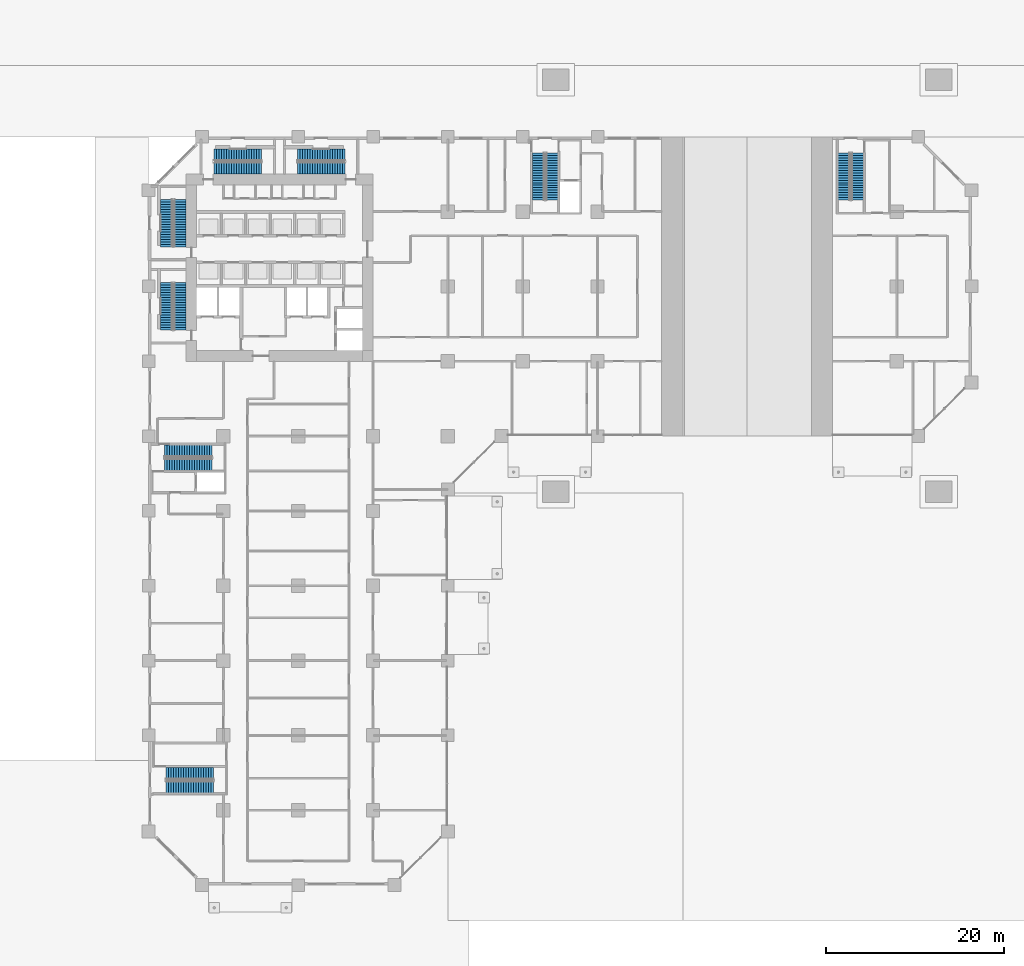
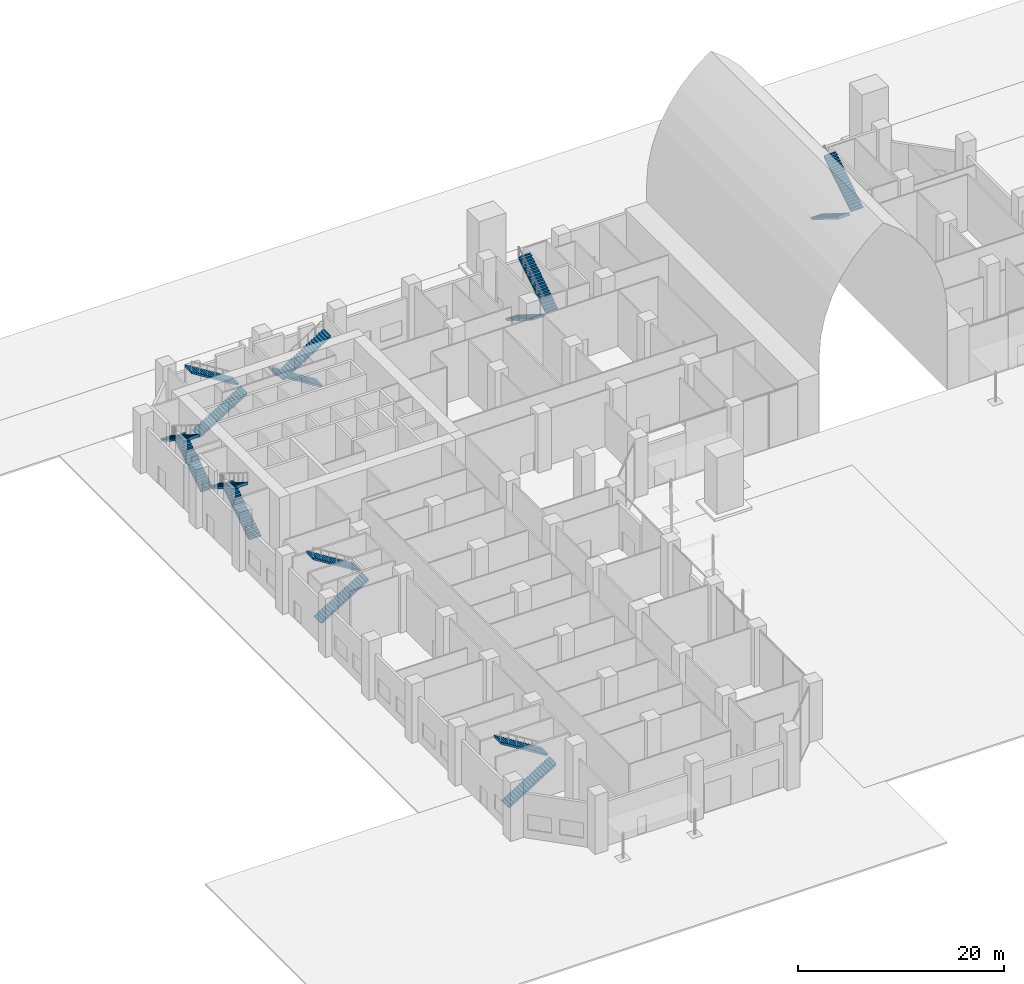
# One storey, part 23 of 32: 16 stair flights, 8 elements without a shape of their own.
"""IFC4 building model written with IfcOpenShell, lengths in metres."""

from ifc_helpers import new_model, si_unit, direction, frame, origin, place, context, subcontext, project, spatial, polyline, outline, extrude, material, type_object, element, aggregate, save


model = new_model("IFC4")

# Units and contexts
model_context = context("Model", 3, precision=1e-05, world=origin(), true_north=direction((0.0, 1.0)))
body_context = subcontext(model_context, "Body", "Model", "MODEL_VIEW")
ifc_project = project(units=[si_unit("LENGTHUNIT", "METRE"), si_unit("AREAUNIT", "SQUARE_METRE"), si_unit("VOLUMEUNIT", "CUBIC_METRE"), si_unit("PLANEANGLEUNIT", "RADIAN"), si_unit("MASSUNIT", "GRAM", prefix="KILO")], contexts=[model_context])

# Site, building, storey
site_placement = place(None, origin())
site = spatial("IfcSite", under=ifc_project, at=site_placement, CompositionType="ELEMENT")
building_placement = place(site_placement, origin())
building = spatial("IfcBuilding", under=site, at=building_placement, Name="Kawkab Arch Medical Tower", CompositionType="ELEMENT")
storey_placement = place(building_placement, origin())
storey = spatial("IfcBuildingStorey", under=building, at=storey_placement, Name="L01", CompositionType="ELEMENT", Elevation=0.0)

# Stair, stair flights
ifc_material_1 = material(Name="Concrete C40/50", Category="concrete")
stair_type = type_object("IfcStairType", Name="Exit stair 1350", PredefinedType="HALF_TURN_STAIR", material=ifc_material_1)
placement = place(storey_placement, origin())
stair_1 = element("IfcStair", 1, at=placement, inside=storey, type_object=stair_type, Name="L01 Exit stair ST1", PredefinedType="HALF_TURN_STAIR")
ifc_material_2 = material(Name="Concrete C40/50", Category="concrete")
stair_flight_type = type_object("IfcStairFlightType", Name="Exit stair flight 1350", PredefinedType="STRAIGHT", material=ifc_material_2)
stair_flight_1_placement = place(storey_placement, frame((3.52490234375, -12.35009765625, 0.0), z_axis=(0.0, 0.0, 1.0), x_axis=(0.0, 1.0, 0.0)))
stair_flight_1 = element("IfcStairFlight", 2, at=stair_flight_1_placement, type_object=stair_flight_type, Name="ST1 flight 1", NumberOfRisers=20, NumberOfTreads=19, PredefinedType="STRAIGHT", RiserHeight=0.175, TreadLength=0.28, context=body_context, shape_type="SweptSolid", body=[
    extrude(outline(polyline([(-0.0029296875, 0.0), (-0.0029296875, 0.175048828125), (0.0, 0.175048828125), (0.280029296875, 0.175048828125), (0.280029296875, 0.35009765625), (0.56005859375, 0.35009765625), (0.56005859375, 0.52490234375), (0.840087890625, 0.52490234375), (0.840087890625, 0.699951171875), (1.1201171875, 0.699951171875), (1.1201171875, 0.875), (1.39990234375, 0.875), (1.39990234375, 1.050048828125), (1.679931640625, 1.050048828125), (1.679931640625, 1.22509765625), (1.9599609375, 1.22509765625), (1.9599609375, 1.39990234375), (2.239990234375, 1.39990234375), (2.239990234375, 1.574951171875), (2.52001953125, 1.574951171875), (2.52001953125, 1.75), (2.800048828125, 1.75), (2.800048828125, 1.925048828125), (3.080078125, 1.925048828125), (3.080078125, 2.10009765625), (3.360107421875, 2.10009765625), (3.360107421875, 2.27490234375), (3.639892578125, 2.27490234375), (3.639892578125, 2.449951171875), (3.919921875, 2.449951171875), (3.919921875, 2.625), (4.199951171875, 2.625), (4.199951171875, 2.800048828125), (4.47998046875, 2.800048828125), (4.47998046875, 2.97509765625), (4.760009765625, 2.97509765625), (4.760009765625, 3.14990234375), (5.0400390625, 3.14990234375), (5.0400390625, 3.324951171875), (5.320068359375, 3.324951171875), (5.320068359375, 3.5), (5.322998046875, 3.5), (5.322998046875, 3.148193359375), (5.320068359375, 3.148193359375), (0.28271484375, 0.0), (-0.0029296875, 0.0)])), frame((0.0, 0.675048828125, 0.0), z_axis=(0.0, -1.0, 0.0), x_axis=(1.0, 0.0, 0.0)), (0.0, 0.0, 1.0), 1.35009765625),
])
stair_flight_2_placement = place(storey_placement, frame((2.02490234375, -7.030029296875, 3.5), z_axis=(0.0, 0.0, 1.0), x_axis=(0.0, -1.0, 0.0)))
stair_flight_2 = element("IfcStairFlight", 3, at=stair_flight_2_placement, type_object=stair_flight_type, Name="ST1 flight 2", NumberOfRisers=20, NumberOfTreads=19, PredefinedType="STRAIGHT", RiserHeight=0.175, TreadLength=0.28, context=body_context, shape_type="SweptSolid", body=[
    extrude(outline(polyline([(-0.0029296875, 0.0), (-0.0029296875, 0.175048828125), (0.0, 0.175048828125), (0.280029296875, 0.175048828125), (0.280029296875, 0.35009765625), (0.56005859375, 0.35009765625), (0.56005859375, 0.52490234375), (0.840087890625, 0.52490234375), (0.840087890625, 0.699951171875), (1.1201171875, 0.699951171875), (1.1201171875, 0.875), (1.39990234375, 0.875), (1.39990234375, 1.050048828125), (1.679931640625, 1.050048828125), (1.679931640625, 1.22509765625), (1.9599609375, 1.22509765625), (1.9599609375, 1.39990234375), (2.239990234375, 1.39990234375), (2.239990234375, 1.574951171875), (2.52001953125, 1.574951171875), (2.52001953125, 1.75), (2.800048828125, 1.75), (2.800048828125, 1.925048828125), (3.080078125, 1.925048828125), (3.080078125, 2.10009765625), (3.360107421875, 2.10009765625), (3.360107421875, 2.27490234375), (3.639892578125, 2.27490234375), (3.639892578125, 2.449951171875), (3.919921875, 2.449951171875), (3.919921875, 2.625), (4.199951171875, 2.625), (4.199951171875, 2.800048828125), (4.47998046875, 2.800048828125), (4.47998046875, 2.97509765625), (4.760009765625, 2.97509765625), (4.760009765625, 3.14990234375), (5.0400390625, 3.14990234375), (5.0400390625, 3.324951171875), (5.320068359375, 3.324951171875), (5.320068359375, 3.5), (5.322998046875, 3.5), (5.322998046875, 3.148193359375), (5.320068359375, 3.148193359375), (0.28271484375, 0.0), (-0.0029296875, 0.0)])), frame((0.0, 0.675048828125, 0.0), z_axis=(0.0, -1.0, 0.0), x_axis=(1.0, 0.0, 0.0)), (0.0, 0.0, 1.0), 1.35009765625),
])
aggregate(stair_1, [stair_flight_1, stair_flight_2])

stair_2 = element("IfcStair", 4, at=placement, inside=storey, type_object=stair_type, Name="L01 Exit stair ST10", PredefinedType="HALF_TURN_STAIR")
stair_flight_3_placement = place(storey_placement, frame((1.97509765625, -72.97509765625, 0.0), z_axis=(0.0, 0.0, 1.0), x_axis=(1.0, 0.0, 0.0)))
stair_flight_3 = element("IfcStairFlight", 5, at=stair_flight_3_placement, type_object=stair_flight_type, Name="ST10 flight 1", NumberOfRisers=20, NumberOfTreads=19, PredefinedType="STRAIGHT", RiserHeight=0.175, TreadLength=0.28, context=body_context, shape_type="SweptSolid", body=[
    extrude(outline(polyline([(-0.0029296875, 0.0), (-0.0029296875, 0.175048828125), (0.0, 0.175048828125), (0.280029296875, 0.175048828125), (0.280029296875, 0.35009765625), (0.56005859375, 0.35009765625), (0.56005859375, 0.52490234375), (0.840087890625, 0.52490234375), (0.840087890625, 0.699951171875), (1.1201171875, 0.699951171875), (1.1201171875, 0.875), (1.39990234375, 0.875), (1.39990234375, 1.050048828125), (1.679931640625, 1.050048828125), (1.679931640625, 1.22509765625), (1.9599609375, 1.22509765625), (1.9599609375, 1.39990234375), (2.239990234375, 1.39990234375), (2.239990234375, 1.574951171875), (2.52001953125, 1.574951171875), (2.52001953125, 1.75), (2.800048828125, 1.75), (2.800048828125, 1.925048828125), (3.080078125, 1.925048828125), (3.080078125, 2.10009765625), (3.360107421875, 2.10009765625), (3.360107421875, 2.27490234375), (3.639892578125, 2.27490234375), (3.639892578125, 2.449951171875), (3.919921875, 2.449951171875), (3.919921875, 2.625), (4.199951171875, 2.625), (4.199951171875, 2.800048828125), (4.47998046875, 2.800048828125), (4.47998046875, 2.97509765625), (4.760009765625, 2.97509765625), (4.760009765625, 3.14990234375), (5.0400390625, 3.14990234375), (5.0400390625, 3.324951171875), (5.320068359375, 3.324951171875), (5.320068359375, 3.5), (5.322998046875, 3.5), (5.322998046875, 3.148193359375), (5.320068359375, 3.148193359375), (0.28271484375, 0.0), (-0.0029296875, 0.0)])), frame((0.0, 0.675048828125, 0.0), z_axis=(0.0, -1.0, 0.0), x_axis=(1.0, 0.0, 0.0)), (0.0, 0.0, 1.0), 1.35009765625),
])
stair_flight_4_placement = place(storey_placement, frame((7.294921875, -71.47509765625, 3.5), z_axis=(0.0, 0.0, 1.0), x_axis=(-1.0, 0.0, 0.0)))
stair_flight_4 = element("IfcStairFlight", 6, at=stair_flight_4_placement, type_object=stair_flight_type, Name="ST10 flight 2", NumberOfRisers=20, NumberOfTreads=19, PredefinedType="STRAIGHT", RiserHeight=0.175, TreadLength=0.28, context=body_context, shape_type="SweptSolid", body=[
    extrude(outline(polyline([(-0.0029296875, 0.0), (-0.0029296875, 0.175048828125), (0.0, 0.175048828125), (0.280029296875, 0.175048828125), (0.280029296875, 0.35009765625), (0.56005859375, 0.35009765625), (0.56005859375, 0.52490234375), (0.840087890625, 0.52490234375), (0.840087890625, 0.699951171875), (1.1201171875, 0.699951171875), (1.1201171875, 0.875), (1.39990234375, 0.875), (1.39990234375, 1.050048828125), (1.679931640625, 1.050048828125), (1.679931640625, 1.22509765625), (1.9599609375, 1.22509765625), (1.9599609375, 1.39990234375), (2.239990234375, 1.39990234375), (2.239990234375, 1.574951171875), (2.52001953125, 1.574951171875), (2.52001953125, 1.75), (2.800048828125, 1.75), (2.800048828125, 1.925048828125), (3.080078125, 1.925048828125), (3.080078125, 2.10009765625), (3.360107421875, 2.10009765625), (3.360107421875, 2.27490234375), (3.639892578125, 2.27490234375), (3.639892578125, 2.449951171875), (3.919921875, 2.449951171875), (3.919921875, 2.625), (4.199951171875, 2.625), (4.199951171875, 2.800048828125), (4.47998046875, 2.800048828125), (4.47998046875, 2.97509765625), (4.760009765625, 2.97509765625), (4.760009765625, 3.14990234375), (5.0400390625, 3.14990234375), (5.0400390625, 3.324951171875), (5.320068359375, 3.324951171875), (5.320068359375, 3.5), (5.322998046875, 3.5), (5.322998046875, 3.148193359375), (5.320068359375, 3.148193359375), (0.28271484375, 0.0), (-0.0029296875, 0.0)])), frame((0.0, 0.675048828125, 0.0), z_axis=(0.0, -1.0, 0.0), x_axis=(1.0, 0.0, 0.0)), (0.0, 0.0, 1.0), 1.35009765625),
])
aggregate(stair_2, [stair_flight_3, stair_flight_4])

stair_3 = element("IfcStair", 7, at=placement, inside=storey, type_object=stair_type, Name="L01 Exit stair ST2", PredefinedType="HALF_TURN_STAIR")
stair_flight_5_placement = place(storey_placement, frame((3.52490234375, -21.699951171875, 0.0), z_axis=(0.0, 0.0, 1.0), x_axis=(0.0, 1.0, 0.0)))
stair_flight_5 = element("IfcStairFlight", 8, at=stair_flight_5_placement, type_object=stair_flight_type, Name="ST2 flight 1", NumberOfRisers=20, NumberOfTreads=19, PredefinedType="STRAIGHT", RiserHeight=0.175, TreadLength=0.28, context=body_context, shape_type="SweptSolid", body=[
    extrude(outline(polyline([(-0.0029296875, 0.0), (-0.0029296875, 0.175048828125), (0.0, 0.175048828125), (0.280029296875, 0.175048828125), (0.280029296875, 0.35009765625), (0.56005859375, 0.35009765625), (0.56005859375, 0.52490234375), (0.840087890625, 0.52490234375), (0.840087890625, 0.699951171875), (1.1201171875, 0.699951171875), (1.1201171875, 0.875), (1.39990234375, 0.875), (1.39990234375, 1.050048828125), (1.679931640625, 1.050048828125), (1.679931640625, 1.22509765625), (1.9599609375, 1.22509765625), (1.9599609375, 1.39990234375), (2.239990234375, 1.39990234375), (2.239990234375, 1.574951171875), (2.52001953125, 1.574951171875), (2.52001953125, 1.75), (2.800048828125, 1.75), (2.800048828125, 1.925048828125), (3.080078125, 1.925048828125), (3.080078125, 2.10009765625), (3.360107421875, 2.10009765625), (3.360107421875, 2.27490234375), (3.639892578125, 2.27490234375), (3.639892578125, 2.449951171875), (3.919921875, 2.449951171875), (3.919921875, 2.625), (4.199951171875, 2.625), (4.199951171875, 2.800048828125), (4.47998046875, 2.800048828125), (4.47998046875, 2.97509765625), (4.760009765625, 2.97509765625), (4.760009765625, 3.14990234375), (5.0400390625, 3.14990234375), (5.0400390625, 3.324951171875), (5.320068359375, 3.324951171875), (5.320068359375, 3.5), (5.322998046875, 3.5), (5.322998046875, 3.148193359375), (5.320068359375, 3.148193359375), (0.28271484375, 0.0), (-0.0029296875, 0.0)])), frame((0.0, 0.675048828125, 0.0), z_axis=(0.0, -1.0, 0.0), x_axis=(1.0, 0.0, 0.0)), (0.0, 0.0, 1.0), 1.35009765625),
])
stair_flight_6_placement = place(storey_placement, frame((2.02490234375, -16.3798828125, 3.5), z_axis=(0.0, 0.0, 1.0), x_axis=(0.0, -1.0, 0.0)))
stair_flight_6 = element("IfcStairFlight", 9, at=stair_flight_6_placement, type_object=stair_flight_type, Name="ST2 flight 2", NumberOfRisers=20, NumberOfTreads=19, PredefinedType="STRAIGHT", RiserHeight=0.175, TreadLength=0.28, context=body_context, shape_type="SweptSolid", body=[
    extrude(outline(polyline([(-0.0029296875, 0.0), (-0.0029296875, 0.175048828125), (0.0, 0.175048828125), (0.280029296875, 0.175048828125), (0.280029296875, 0.35009765625), (0.56005859375, 0.35009765625), (0.56005859375, 0.52490234375), (0.840087890625, 0.52490234375), (0.840087890625, 0.699951171875), (1.1201171875, 0.699951171875), (1.1201171875, 0.875), (1.39990234375, 0.875), (1.39990234375, 1.050048828125), (1.679931640625, 1.050048828125), (1.679931640625, 1.22509765625), (1.9599609375, 1.22509765625), (1.9599609375, 1.39990234375), (2.239990234375, 1.39990234375), (2.239990234375, 1.574951171875), (2.52001953125, 1.574951171875), (2.52001953125, 1.75), (2.800048828125, 1.75), (2.800048828125, 1.925048828125), (3.080078125, 1.925048828125), (3.080078125, 2.10009765625), (3.360107421875, 2.10009765625), (3.360107421875, 2.27490234375), (3.639892578125, 2.27490234375), (3.639892578125, 2.449951171875), (3.919921875, 2.449951171875), (3.919921875, 2.625), (4.199951171875, 2.625), (4.199951171875, 2.800048828125), (4.47998046875, 2.800048828125), (4.47998046875, 2.97509765625), (4.760009765625, 2.97509765625), (4.760009765625, 3.14990234375), (5.0400390625, 3.14990234375), (5.0400390625, 3.324951171875), (5.320068359375, 3.324951171875), (5.320068359375, 3.5), (5.322998046875, 3.5), (5.322998046875, 3.148193359375), (5.320068359375, 3.148193359375), (0.28271484375, 0.0), (-0.0029296875, 0.0)])), frame((0.0, 0.675048828125, 0.0), z_axis=(0.0, -1.0, 0.0), x_axis=(1.0, 0.0, 0.0)), (0.0, 0.0, 1.0), 1.35009765625),
])
aggregate(stair_3, [stair_flight_5, stair_flight_6])

stair_4 = element("IfcStair", 10, at=placement, inside=storey, type_object=stair_type, Name="L01 Exit stair ST3", PredefinedType="HALF_TURN_STAIR")
stair_flight_7_placement = place(storey_placement, frame((7.35009765625, -3.52490234375, 0.0), z_axis=(0.0, 0.0, 1.0), x_axis=(1.0, 0.0, 0.0)))
stair_flight_7 = element("IfcStairFlight", 11, at=stair_flight_7_placement, type_object=stair_flight_type, Name="ST3 flight 1", NumberOfRisers=20, NumberOfTreads=19, PredefinedType="STRAIGHT", RiserHeight=0.175, TreadLength=0.28, context=body_context, shape_type="SweptSolid", body=[
    extrude(outline(polyline([(-0.0029296875, 0.0), (-0.0029296875, 0.175048828125), (0.0, 0.175048828125), (0.280029296875, 0.175048828125), (0.280029296875, 0.35009765625), (0.56005859375, 0.35009765625), (0.56005859375, 0.52490234375), (0.840087890625, 0.52490234375), (0.840087890625, 0.699951171875), (1.1201171875, 0.699951171875), (1.1201171875, 0.875), (1.39990234375, 0.875), (1.39990234375, 1.050048828125), (1.679931640625, 1.050048828125), (1.679931640625, 1.22509765625), (1.9599609375, 1.22509765625), (1.9599609375, 1.39990234375), (2.239990234375, 1.39990234375), (2.239990234375, 1.574951171875), (2.52001953125, 1.574951171875), (2.52001953125, 1.75), (2.800048828125, 1.75), (2.800048828125, 1.925048828125), (3.080078125, 1.925048828125), (3.080078125, 2.10009765625), (3.360107421875, 2.10009765625), (3.360107421875, 2.27490234375), (3.639892578125, 2.27490234375), (3.639892578125, 2.449951171875), (3.919921875, 2.449951171875), (3.919921875, 2.625), (4.199951171875, 2.625), (4.199951171875, 2.800048828125), (4.47998046875, 2.800048828125), (4.47998046875, 2.97509765625), (4.760009765625, 2.97509765625), (4.760009765625, 3.14990234375), (5.0400390625, 3.14990234375), (5.0400390625, 3.324951171875), (5.320068359375, 3.324951171875), (5.320068359375, 3.5), (5.322998046875, 3.5), (5.322998046875, 3.148193359375), (5.320068359375, 3.148193359375), (0.28271484375, 0.0), (-0.0029296875, 0.0)])), frame((0.0, 0.675048828125, 0.0), z_axis=(0.0, -1.0, 0.0), x_axis=(1.0, 0.0, 0.0)), (0.0, 0.0, 1.0), 1.35009765625),
])
stair_flight_8_placement = place(storey_placement, frame((12.669921875, -2.02490234375, 3.5), z_axis=(0.0, 0.0, 1.0), x_axis=(-1.0, 0.0, 0.0)))
stair_flight_8 = element("IfcStairFlight", 12, at=stair_flight_8_placement, type_object=stair_flight_type, Name="ST3 flight 2", NumberOfRisers=20, NumberOfTreads=19, PredefinedType="STRAIGHT", RiserHeight=0.175, TreadLength=0.28, context=body_context, shape_type="SweptSolid", body=[
    extrude(outline(polyline([(-0.0029296875, 0.0), (-0.0029296875, 0.175048828125), (0.0, 0.175048828125), (0.280029296875, 0.175048828125), (0.280029296875, 0.35009765625), (0.56005859375, 0.35009765625), (0.56005859375, 0.52490234375), (0.840087890625, 0.52490234375), (0.840087890625, 0.699951171875), (1.1201171875, 0.699951171875), (1.1201171875, 0.875), (1.39990234375, 0.875), (1.39990234375, 1.050048828125), (1.679931640625, 1.050048828125), (1.679931640625, 1.22509765625), (1.9599609375, 1.22509765625), (1.9599609375, 1.39990234375), (2.239990234375, 1.39990234375), (2.239990234375, 1.574951171875), (2.52001953125, 1.574951171875), (2.52001953125, 1.75), (2.800048828125, 1.75), (2.800048828125, 1.925048828125), (3.080078125, 1.925048828125), (3.080078125, 2.10009765625), (3.360107421875, 2.10009765625), (3.360107421875, 2.27490234375), (3.639892578125, 2.27490234375), (3.639892578125, 2.449951171875), (3.919921875, 2.449951171875), (3.919921875, 2.625), (4.199951171875, 2.625), (4.199951171875, 2.800048828125), (4.47998046875, 2.800048828125), (4.47998046875, 2.97509765625), (4.760009765625, 2.97509765625), (4.760009765625, 3.14990234375), (5.0400390625, 3.14990234375), (5.0400390625, 3.324951171875), (5.320068359375, 3.324951171875), (5.320068359375, 3.5), (5.322998046875, 3.5), (5.322998046875, 3.148193359375), (5.320068359375, 3.148193359375), (0.28271484375, 0.0), (-0.0029296875, 0.0)])), frame((0.0, 0.675048828125, 0.0), z_axis=(0.0, -1.0, 0.0), x_axis=(1.0, 0.0, 0.0)), (0.0, 0.0, 1.0), 1.35009765625),
])
aggregate(stair_4, [stair_flight_7, stair_flight_8])

stair_5 = element("IfcStair", 13, at=placement, inside=storey, type_object=stair_type, Name="L01 Exit stair ST4", PredefinedType="HALF_TURN_STAIR")
stair_flight_9_placement = place(storey_placement, frame((22.050048828125, -2.02490234375, 0.0), z_axis=(0.0, 0.0, 1.0), x_axis=(-1.0, 0.0, 0.0)))
stair_flight_9 = element("IfcStairFlight", 14, at=stair_flight_9_placement, type_object=stair_flight_type, Name="ST4 flight 1", NumberOfRisers=20, NumberOfTreads=19, PredefinedType="STRAIGHT", RiserHeight=0.175, TreadLength=0.28, context=body_context, shape_type="SweptSolid", body=[
    extrude(outline(polyline([(-0.0029296875, 0.0), (-0.0029296875, 0.175048828125), (0.0, 0.175048828125), (0.280029296875, 0.175048828125), (0.280029296875, 0.35009765625), (0.56005859375, 0.35009765625), (0.56005859375, 0.52490234375), (0.840087890625, 0.52490234375), (0.840087890625, 0.699951171875), (1.1201171875, 0.699951171875), (1.1201171875, 0.875), (1.39990234375, 0.875), (1.39990234375, 1.050048828125), (1.679931640625, 1.050048828125), (1.679931640625, 1.22509765625), (1.9599609375, 1.22509765625), (1.9599609375, 1.39990234375), (2.239990234375, 1.39990234375), (2.239990234375, 1.574951171875), (2.52001953125, 1.574951171875), (2.52001953125, 1.75), (2.800048828125, 1.75), (2.800048828125, 1.925048828125), (3.080078125, 1.925048828125), (3.080078125, 2.10009765625), (3.360107421875, 2.10009765625), (3.360107421875, 2.27490234375), (3.639892578125, 2.27490234375), (3.639892578125, 2.449951171875), (3.919921875, 2.449951171875), (3.919921875, 2.625), (4.199951171875, 2.625), (4.199951171875, 2.800048828125), (4.47998046875, 2.800048828125), (4.47998046875, 2.97509765625), (4.760009765625, 2.97509765625), (4.760009765625, 3.14990234375), (5.0400390625, 3.14990234375), (5.0400390625, 3.324951171875), (5.320068359375, 3.324951171875), (5.320068359375, 3.5), (5.322998046875, 3.5), (5.322998046875, 3.148193359375), (5.320068359375, 3.148193359375), (0.28271484375, 0.0), (-0.0029296875, 0.0)])), frame((0.0, 0.675048828125, 0.0), z_axis=(0.0, -1.0, 0.0), x_axis=(1.0, 0.0, 0.0)), (0.0, 0.0, 1.0), 1.35009765625),
])
stair_flight_10_placement = place(storey_placement, frame((16.72998046875, -3.52490234375, 3.5), z_axis=(0.0, 0.0, 1.0), x_axis=(1.0, 0.0, 0.0)))
stair_flight_10 = element("IfcStairFlight", 15, at=stair_flight_10_placement, type_object=stair_flight_type, Name="ST4 flight 2", NumberOfRisers=20, NumberOfTreads=19, PredefinedType="STRAIGHT", RiserHeight=0.175, TreadLength=0.28, context=body_context, shape_type="SweptSolid", body=[
    extrude(outline(polyline([(-0.0029296875, 0.0), (-0.0029296875, 0.175048828125), (0.0, 0.175048828125), (0.280029296875, 0.175048828125), (0.280029296875, 0.35009765625), (0.56005859375, 0.35009765625), (0.56005859375, 0.52490234375), (0.840087890625, 0.52490234375), (0.840087890625, 0.699951171875), (1.1201171875, 0.699951171875), (1.1201171875, 0.875), (1.39990234375, 0.875), (1.39990234375, 1.050048828125), (1.679931640625, 1.050048828125), (1.679931640625, 1.22509765625), (1.9599609375, 1.22509765625), (1.9599609375, 1.39990234375), (2.239990234375, 1.39990234375), (2.239990234375, 1.574951171875), (2.52001953125, 1.574951171875), (2.52001953125, 1.75), (2.800048828125, 1.75), (2.800048828125, 1.925048828125), (3.080078125, 1.925048828125), (3.080078125, 2.10009765625), (3.360107421875, 2.10009765625), (3.360107421875, 2.27490234375), (3.639892578125, 2.27490234375), (3.639892578125, 2.449951171875), (3.919921875, 2.449951171875), (3.919921875, 2.625), (4.199951171875, 2.625), (4.199951171875, 2.800048828125), (4.47998046875, 2.800048828125), (4.47998046875, 2.97509765625), (4.760009765625, 2.97509765625), (4.760009765625, 3.14990234375), (5.0400390625, 3.14990234375), (5.0400390625, 3.324951171875), (5.320068359375, 3.324951171875), (5.320068359375, 3.5), (5.322998046875, 3.5), (5.322998046875, 3.148193359375), (5.320068359375, 3.148193359375), (0.28271484375, 0.0), (-0.0029296875, 0.0)])), frame((0.0, 0.675048828125, 0.0), z_axis=(0.0, -1.0, 0.0), x_axis=(1.0, 0.0, 0.0)), (0.0, 0.0, 1.0), 1.35009765625),
])
aggregate(stair_5, [stair_flight_9, stair_flight_10])

stair_6 = element("IfcStair", 16, at=placement, inside=storey, type_object=stair_type, Name="L01 Exit stair ST5", PredefinedType="HALF_TURN_STAIR")
stair_flight_11_placement = place(storey_placement, frame((43.77490234375, -1.800048828125, 0.0), z_axis=(0.0, 0.0, 1.0), x_axis=(0.0, -1.0, 0.0)))
stair_flight_11 = element("IfcStairFlight", 17, at=stair_flight_11_placement, type_object=stair_flight_type, Name="ST5 flight 1", NumberOfRisers=20, NumberOfTreads=19, PredefinedType="STRAIGHT", RiserHeight=0.175, TreadLength=0.28, context=body_context, shape_type="SweptSolid", body=[
    extrude(outline(polyline([(-0.0029296875, 0.0), (-0.0029296875, 0.175048828125), (0.0, 0.175048828125), (0.280029296875, 0.175048828125), (0.280029296875, 0.35009765625), (0.56005859375, 0.35009765625), (0.56005859375, 0.52490234375), (0.840087890625, 0.52490234375), (0.840087890625, 0.699951171875), (1.1201171875, 0.699951171875), (1.1201171875, 0.875), (1.39990234375, 0.875), (1.39990234375, 1.050048828125), (1.679931640625, 1.050048828125), (1.679931640625, 1.22509765625), (1.9599609375, 1.22509765625), (1.9599609375, 1.39990234375), (2.239990234375, 1.39990234375), (2.239990234375, 1.574951171875), (2.52001953125, 1.574951171875), (2.52001953125, 1.75), (2.800048828125, 1.75), (2.800048828125, 1.925048828125), (3.080078125, 1.925048828125), (3.080078125, 2.10009765625), (3.360107421875, 2.10009765625), (3.360107421875, 2.27490234375), (3.639892578125, 2.27490234375), (3.639892578125, 2.449951171875), (3.919921875, 2.449951171875), (3.919921875, 2.625), (4.199951171875, 2.625), (4.199951171875, 2.800048828125), (4.47998046875, 2.800048828125), (4.47998046875, 2.97509765625), (4.760009765625, 2.97509765625), (4.760009765625, 3.14990234375), (5.0400390625, 3.14990234375), (5.0400390625, 3.324951171875), (5.320068359375, 3.324951171875), (5.320068359375, 3.5), (5.322998046875, 3.5), (5.322998046875, 3.148193359375), (5.320068359375, 3.148193359375), (0.28271484375, 0.0), (-0.0029296875, 0.0)])), frame((0.0, 0.675048828125, 0.0), z_axis=(0.0, -1.0, 0.0), x_axis=(1.0, 0.0, 0.0)), (0.0, 0.0, 1.0), 1.35009765625),
])
stair_flight_12_placement = place(storey_placement, frame((45.27490234375, -7.1201171875, 3.5), z_axis=(0.0, 0.0, 1.0), x_axis=(0.0, 1.0, 0.0)))
stair_flight_12 = element("IfcStairFlight", 18, at=stair_flight_12_placement, type_object=stair_flight_type, Name="ST5 flight 2", NumberOfRisers=20, NumberOfTreads=19, PredefinedType="STRAIGHT", RiserHeight=0.175, TreadLength=0.28, context=body_context, shape_type="SweptSolid", body=[
    extrude(outline(polyline([(-0.0029296875, 0.0), (-0.0029296875, 0.175048828125), (0.0, 0.175048828125), (0.280029296875, 0.175048828125), (0.280029296875, 0.35009765625), (0.56005859375, 0.35009765625), (0.56005859375, 0.52490234375), (0.840087890625, 0.52490234375), (0.840087890625, 0.699951171875), (1.1201171875, 0.699951171875), (1.1201171875, 0.875), (1.39990234375, 0.875), (1.39990234375, 1.050048828125), (1.679931640625, 1.050048828125), (1.679931640625, 1.22509765625), (1.9599609375, 1.22509765625), (1.9599609375, 1.39990234375), (2.239990234375, 1.39990234375), (2.239990234375, 1.574951171875), (2.52001953125, 1.574951171875), (2.52001953125, 1.75), (2.800048828125, 1.75), (2.800048828125, 1.925048828125), (3.080078125, 1.925048828125), (3.080078125, 2.10009765625), (3.360107421875, 2.10009765625), (3.360107421875, 2.27490234375), (3.639892578125, 2.27490234375), (3.639892578125, 2.449951171875), (3.919921875, 2.449951171875), (3.919921875, 2.625), (4.199951171875, 2.625), (4.199951171875, 2.800048828125), (4.47998046875, 2.800048828125), (4.47998046875, 2.97509765625), (4.760009765625, 2.97509765625), (4.760009765625, 3.14990234375), (5.0400390625, 3.14990234375), (5.0400390625, 3.324951171875), (5.320068359375, 3.324951171875), (5.320068359375, 3.5), (5.322998046875, 3.5), (5.322998046875, 3.148193359375), (5.320068359375, 3.148193359375), (0.28271484375, 0.0), (-0.0029296875, 0.0)])), frame((0.0, 0.675048828125, 0.0), z_axis=(0.0, -1.0, 0.0), x_axis=(1.0, 0.0, 0.0)), (0.0, 0.0, 1.0), 1.35009765625),
])
aggregate(stair_6, [stair_flight_11, stair_flight_12])

stair_7 = element("IfcStair", 19, at=placement, inside=storey, type_object=stair_type, Name="L01 Exit stair ST6", PredefinedType="HALF_TURN_STAIR")
stair_flight_13_placement = place(storey_placement, frame((1.800048828125, -36.77490234375, 0.0), z_axis=(0.0, 0.0, 1.0), x_axis=(1.0, 0.0, 0.0)))
stair_flight_13 = element("IfcStairFlight", 20, at=stair_flight_13_placement, type_object=stair_flight_type, Name="ST6 flight 1", NumberOfRisers=20, NumberOfTreads=19, PredefinedType="STRAIGHT", RiserHeight=0.175, TreadLength=0.28, context=body_context, shape_type="SweptSolid", body=[
    extrude(outline(polyline([(-0.0029296875, 0.0), (-0.0029296875, 0.175048828125), (0.0, 0.175048828125), (0.280029296875, 0.175048828125), (0.280029296875, 0.35009765625), (0.56005859375, 0.35009765625), (0.56005859375, 0.52490234375), (0.840087890625, 0.52490234375), (0.840087890625, 0.699951171875), (1.1201171875, 0.699951171875), (1.1201171875, 0.875), (1.39990234375, 0.875), (1.39990234375, 1.050048828125), (1.679931640625, 1.050048828125), (1.679931640625, 1.22509765625), (1.9599609375, 1.22509765625), (1.9599609375, 1.39990234375), (2.239990234375, 1.39990234375), (2.239990234375, 1.574951171875), (2.52001953125, 1.574951171875), (2.52001953125, 1.75), (2.800048828125, 1.75), (2.800048828125, 1.925048828125), (3.080078125, 1.925048828125), (3.080078125, 2.10009765625), (3.360107421875, 2.10009765625), (3.360107421875, 2.27490234375), (3.639892578125, 2.27490234375), (3.639892578125, 2.449951171875), (3.919921875, 2.449951171875), (3.919921875, 2.625), (4.199951171875, 2.625), (4.199951171875, 2.800048828125), (4.47998046875, 2.800048828125), (4.47998046875, 2.97509765625), (4.760009765625, 2.97509765625), (4.760009765625, 3.14990234375), (5.0400390625, 3.14990234375), (5.0400390625, 3.324951171875), (5.320068359375, 3.324951171875), (5.320068359375, 3.5), (5.322998046875, 3.5), (5.322998046875, 3.148193359375), (5.320068359375, 3.148193359375), (0.28271484375, 0.0), (-0.0029296875, 0.0)])), frame((0.0, 0.675048828125, 0.0), z_axis=(0.0, -1.0, 0.0), x_axis=(1.0, 0.0, 0.0)), (0.0, 0.0, 1.0), 1.35009765625),
])
stair_flight_14_placement = place(storey_placement, frame((7.1201171875, -35.27490234375, 3.5), z_axis=(0.0, 0.0, 1.0), x_axis=(-1.0, 0.0, 0.0)))
stair_flight_14 = element("IfcStairFlight", 21, at=stair_flight_14_placement, type_object=stair_flight_type, Name="ST6 flight 2", NumberOfRisers=20, NumberOfTreads=19, PredefinedType="STRAIGHT", RiserHeight=0.175, TreadLength=0.28, context=body_context, shape_type="SweptSolid", body=[
    extrude(outline(polyline([(-0.0029296875, 0.0), (-0.0029296875, 0.175048828125), (0.0, 0.175048828125), (0.280029296875, 0.175048828125), (0.280029296875, 0.35009765625), (0.56005859375, 0.35009765625), (0.56005859375, 0.52490234375), (0.840087890625, 0.52490234375), (0.840087890625, 0.699951171875), (1.1201171875, 0.699951171875), (1.1201171875, 0.875), (1.39990234375, 0.875), (1.39990234375, 1.050048828125), (1.679931640625, 1.050048828125), (1.679931640625, 1.22509765625), (1.9599609375, 1.22509765625), (1.9599609375, 1.39990234375), (2.239990234375, 1.39990234375), (2.239990234375, 1.574951171875), (2.52001953125, 1.574951171875), (2.52001953125, 1.75), (2.800048828125, 1.75), (2.800048828125, 1.925048828125), (3.080078125, 1.925048828125), (3.080078125, 2.10009765625), (3.360107421875, 2.10009765625), (3.360107421875, 2.27490234375), (3.639892578125, 2.27490234375), (3.639892578125, 2.449951171875), (3.919921875, 2.449951171875), (3.919921875, 2.625), (4.199951171875, 2.625), (4.199951171875, 2.800048828125), (4.47998046875, 2.800048828125), (4.47998046875, 2.97509765625), (4.760009765625, 2.97509765625), (4.760009765625, 3.14990234375), (5.0400390625, 3.14990234375), (5.0400390625, 3.324951171875), (5.320068359375, 3.324951171875), (5.320068359375, 3.5), (5.322998046875, 3.5), (5.322998046875, 3.148193359375), (5.320068359375, 3.148193359375), (0.28271484375, 0.0), (-0.0029296875, 0.0)])), frame((0.0, 0.675048828125, 0.0), z_axis=(0.0, -1.0, 0.0), x_axis=(1.0, 0.0, 0.0)), (0.0, 0.0, 1.0), 1.35009765625),
])
aggregate(stair_7, [stair_flight_13, stair_flight_14])

stair_8 = element("IfcStair", 22, at=placement, inside=storey, type_object=stair_type, Name="L01 Exit stair ST7", PredefinedType="HALF_TURN_STAIR")
stair_flight_15_placement = place(storey_placement, frame((78.074951171875, -1.800048828125, 0.0), z_axis=(0.0, 0.0, 1.0), x_axis=(0.0, -1.0, 0.0)))
stair_flight_15 = element("IfcStairFlight", 23, at=stair_flight_15_placement, type_object=stair_flight_type, Name="ST7 flight 1", NumberOfRisers=20, NumberOfTreads=19, PredefinedType="STRAIGHT", RiserHeight=0.175, TreadLength=0.28, context=body_context, shape_type="SweptSolid", body=[
    extrude(outline(polyline([(-0.0029296875, 0.0), (-0.0029296875, 0.175048828125), (0.0, 0.175048828125), (0.280029296875, 0.175048828125), (0.280029296875, 0.35009765625), (0.56005859375, 0.35009765625), (0.56005859375, 0.52490234375), (0.840087890625, 0.52490234375), (0.840087890625, 0.699951171875), (1.1201171875, 0.699951171875), (1.1201171875, 0.875), (1.39990234375, 0.875), (1.39990234375, 1.050048828125), (1.679931640625, 1.050048828125), (1.679931640625, 1.22509765625), (1.9599609375, 1.22509765625), (1.9599609375, 1.39990234375), (2.239990234375, 1.39990234375), (2.239990234375, 1.574951171875), (2.52001953125, 1.574951171875), (2.52001953125, 1.75), (2.800048828125, 1.75), (2.800048828125, 1.925048828125), (3.080078125, 1.925048828125), (3.080078125, 2.10009765625), (3.360107421875, 2.10009765625), (3.360107421875, 2.27490234375), (3.639892578125, 2.27490234375), (3.639892578125, 2.449951171875), (3.919921875, 2.449951171875), (3.919921875, 2.625), (4.199951171875, 2.625), (4.199951171875, 2.800048828125), (4.47998046875, 2.800048828125), (4.47998046875, 2.97509765625), (4.760009765625, 2.97509765625), (4.760009765625, 3.14990234375), (5.0400390625, 3.14990234375), (5.0400390625, 3.324951171875), (5.320068359375, 3.324951171875), (5.320068359375, 3.5), (5.322998046875, 3.5), (5.322998046875, 3.148193359375), (5.320068359375, 3.148193359375), (0.28271484375, 0.0), (-0.0029296875, 0.0)])), frame((0.0, 0.675048828125, 0.0), z_axis=(0.0, -1.0, 0.0), x_axis=(1.0, 0.0, 0.0)), (0.0, 0.0, 1.0), 1.35009765625),
])
stair_flight_16_placement = place(storey_placement, frame((79.574951171875, -7.1201171875, 3.5), z_axis=(0.0, 0.0, 1.0), x_axis=(0.0, 1.0, 0.0)))
stair_flight_16 = element("IfcStairFlight", 24, at=stair_flight_16_placement, type_object=stair_flight_type, Name="ST7 flight 2", NumberOfRisers=20, NumberOfTreads=19, PredefinedType="STRAIGHT", RiserHeight=0.175, TreadLength=0.28, context=body_context, shape_type="SweptSolid", body=[
    extrude(outline(polyline([(-0.0029296875, 0.0), (-0.0029296875, 0.175048828125), (0.0, 0.175048828125), (0.280029296875, 0.175048828125), (0.280029296875, 0.35009765625), (0.56005859375, 0.35009765625), (0.56005859375, 0.52490234375), (0.840087890625, 0.52490234375), (0.840087890625, 0.699951171875), (1.1201171875, 0.699951171875), (1.1201171875, 0.875), (1.39990234375, 0.875), (1.39990234375, 1.050048828125), (1.679931640625, 1.050048828125), (1.679931640625, 1.22509765625), (1.9599609375, 1.22509765625), (1.9599609375, 1.39990234375), (2.239990234375, 1.39990234375), (2.239990234375, 1.574951171875), (2.52001953125, 1.574951171875), (2.52001953125, 1.75), (2.800048828125, 1.75), (2.800048828125, 1.925048828125), (3.080078125, 1.925048828125), (3.080078125, 2.10009765625), (3.360107421875, 2.10009765625), (3.360107421875, 2.27490234375), (3.639892578125, 2.27490234375), (3.639892578125, 2.449951171875), (3.919921875, 2.449951171875), (3.919921875, 2.625), (4.199951171875, 2.625), (4.199951171875, 2.800048828125), (4.47998046875, 2.800048828125), (4.47998046875, 2.97509765625), (4.760009765625, 2.97509765625), (4.760009765625, 3.14990234375), (5.0400390625, 3.14990234375), (5.0400390625, 3.324951171875), (5.320068359375, 3.324951171875), (5.320068359375, 3.5), (5.322998046875, 3.5), (5.322998046875, 3.148193359375), (5.320068359375, 3.148193359375), (0.28271484375, 0.0), (-0.0029296875, 0.0)])), frame((0.0, 0.675048828125, 0.0), z_axis=(0.0, -1.0, 0.0), x_axis=(1.0, 0.0, 0.0)), (0.0, 0.0, 1.0), 1.35009765625),
])
aggregate(stair_8, [stair_flight_15, stair_flight_16])

save(model, "model.ifc")
